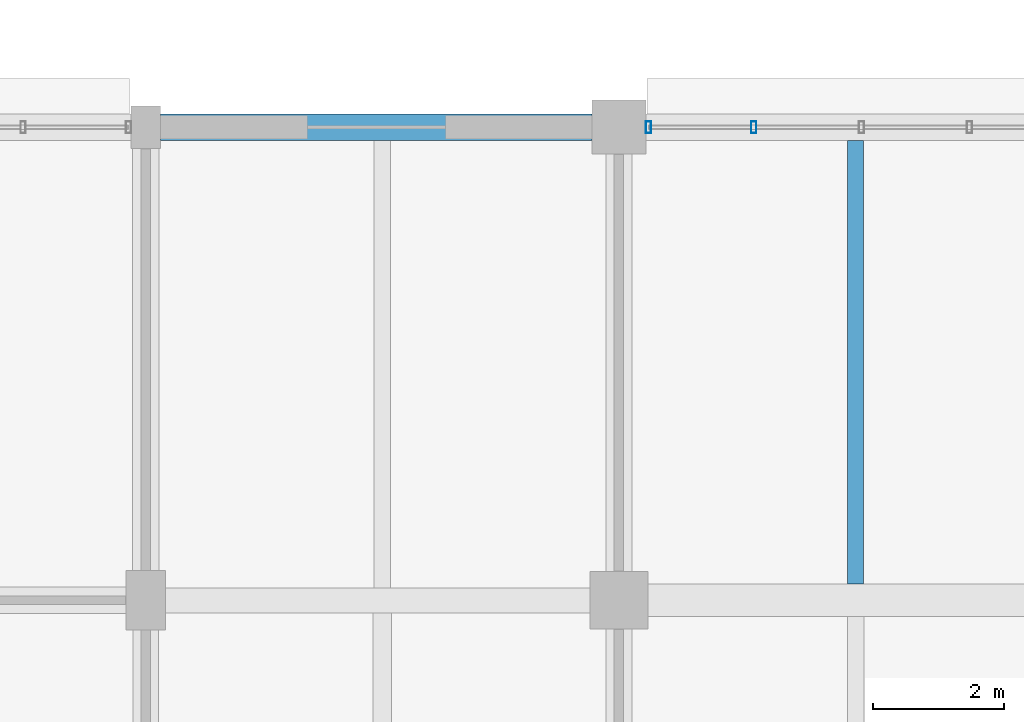
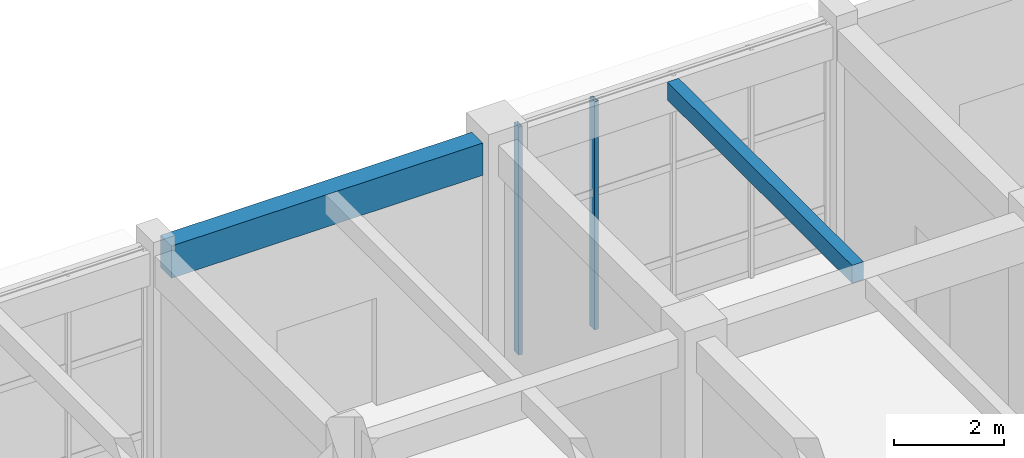
# One storey, part 105 of 160: 2 beams, 2 members, 1 element without a shape of its own.
"""IFC4 building model written with IfcOpenShell, lengths in metres."""

from ifc_helpers import new_model, si_unit, direction, frame, origin, origin_2d, place, context, subcontext, project, spatial, rectangle, hollow_rectangle, extrude, material, material_profile, profile_set, type_object, element, aggregate, save


model = new_model("IFC4")

# Units and contexts
model_context = context("Model", 3, precision=1e-05, world=origin(), true_north=direction((0.0, 1.0)))
body_context = subcontext(model_context, "Body", "Model", "MODEL_VIEW")
ifc_project = project(units=[si_unit("LENGTHUNIT", "METRE"), si_unit("AREAUNIT", "SQUARE_METRE"), si_unit("VOLUMEUNIT", "CUBIC_METRE"), si_unit("PLANEANGLEUNIT", "RADIAN"), si_unit("MASSUNIT", "GRAM", prefix="KILO")], contexts=[model_context])

# Site, building, storey
site_placement = place(None, origin())
site = spatial("IfcSite", under=ifc_project, at=site_placement, CompositionType="ELEMENT")
building_placement = place(site_placement, origin())
building = spatial("IfcBuilding", under=site, at=building_placement, Name="Thalmaran Polytechnic", CompositionType="ELEMENT")
storey_placement = place(building_placement, origin())
storey = spatial("IfcBuildingStorey", under=building, at=storey_placement, Name="L00", CompositionType="ELEMENT", Elevation=0.0)

# Beams
ifc_material_1 = material(Name="Concrete C40/50", Category="concrete")
ifc_material_profile_1 = material_profile(ifc_material_1, rectangle(XDim=0.39990234375, YDim=0.719970703125, at=origin_2d()), Name="RC 400x720")
ifc_profile_set_1 = profile_set([ifc_material_profile_1], Name="Concrete C40/50")
beam_type_1 = type_object("IfcBeamType", Name="BM-SP01", PredefinedType="SPANDREL", material=ifc_profile_set_1)
beam_1_placement = place(storey_placement, frame((129.824951171875, 122.39990234375, 4.72998046875), z_axis=(1.0, 0.0, 0.0), x_axis=(0.0, 1.0, 0.0)))
element("IfcBeam", 1, at=beam_1_placement, inside=storey, type_object=beam_type_1, Name="Grid Beam SP01 L00 X(18,17)", PredefinedType="SPANDREL", context=body_context, shape_type="SweptSolid", body=[
    extrude(rectangle(XDim=0.39990234375, YDim=0.719970703125, at=origin_2d()), origin(), (0.0, 0.0, 1.0), 6.56494140625),
])
ifc_material_profile_2 = material_profile(ifc_material_1, rectangle(XDim=0.239990234375, YDim=0.39990234375, at=origin_2d()), Name="RC 240x400")
ifc_profile_set_2 = profile_set([ifc_material_profile_2], Name="Concrete C40/50")
beam_type_2 = type_object("IfcBeamType", Name="BM-ZJ04", PredefinedType="JOIST", material=ifc_profile_set_2)
beam_2_placement = place(storey_placement, frame((140.39990234375, 115.449951171875, 4.889892578125), z_axis=(0.0, 1.0, 0.0), x_axis=(-1.0, 0.0, 0.0)))
element("IfcBeam", 2, at=beam_2_placement, inside=storey, type_object=beam_type_2, Name="Secondary Floor Rib ZJ04 L00 (19,16)", PredefinedType="JOIST", context=body_context, shape_type="SweptSolid", body=[
    extrude(rectangle(XDim=0.239990234375, YDim=0.39990234375, at=origin_2d()), origin(), (0.0, 0.0, 1.0), 6.75),
])

# Curtain wall, members
ifc_material_2 = material(Name="Aluminium 6063-T6", Category="aluminium")
curtain_wall_type = type_object("IfcCurtainWallType", Name="CW-UC01", PredefinedType="USERDEFINED", material=ifc_material_2)
curtain_wall_placement = place(storey_placement, origin())
curtain_wall = element("IfcCurtainWall", 3, at=curtain_wall_placement, inside=storey, type_object=curtain_wall_type, Name="Curtain Wall CW-L00-011", ObjectType="UNITISED CURTAIN WALL", PredefinedType="USERDEFINED")
ifc_material_profile_3 = material_profile(ifc_material_2, hollow_rectangle(XDim=0.080078125, YDim=0.179931640625, WallThickness=0.0048828125, at=origin_2d()), Name="RHS 180x80x5.0")
ifc_profile_set_3 = profile_set([ifc_material_profile_3], Name="Aluminium 6063-T6")
member_type = type_object("IfcMemberType", Name="CW-MUL1", PredefinedType="MULLION", material=ifc_profile_set_3)
member_1_placement = place(storey_placement, frame((137.25, 122.39990234375, 0.0), z_axis=(0.0, 0.0, 1.0), x_axis=(1.0, 0.0, 0.0)))
member_1 = element("IfcMember", 4, at=member_1_placement, type_object=member_type, Name="CW-L00-011 Mullion 1", PredefinedType="MULLION", context=body_context, shape_type="SweptSolid", body=[
    extrude(hollow_rectangle(XDim=0.080078125, YDim=0.179931640625, WallThickness=0.0048828125, at=origin_2d()), origin(), (0.0, 0.0, 1.0), 5.090087890625),
])
member_2_placement = place(storey_placement, frame((138.851318359375, 122.39990234375, 0.0), z_axis=(0.0, 0.0, 1.0), x_axis=(1.0, 0.0, 0.0)))
member_2 = element("IfcMember", 5, at=member_2_placement, type_object=member_type, Name="CW-L00-011 Mullion 2", PredefinedType="MULLION", context=body_context, shape_type="SweptSolid", body=[
    extrude(hollow_rectangle(XDim=0.080078125, YDim=0.179931640625, WallThickness=0.0048828125, at=origin_2d()), origin(), (0.0, 0.0, 1.0), 5.090087890625),
])
aggregate(curtain_wall, [member_1, member_2])

save(model, "model.ifc")
